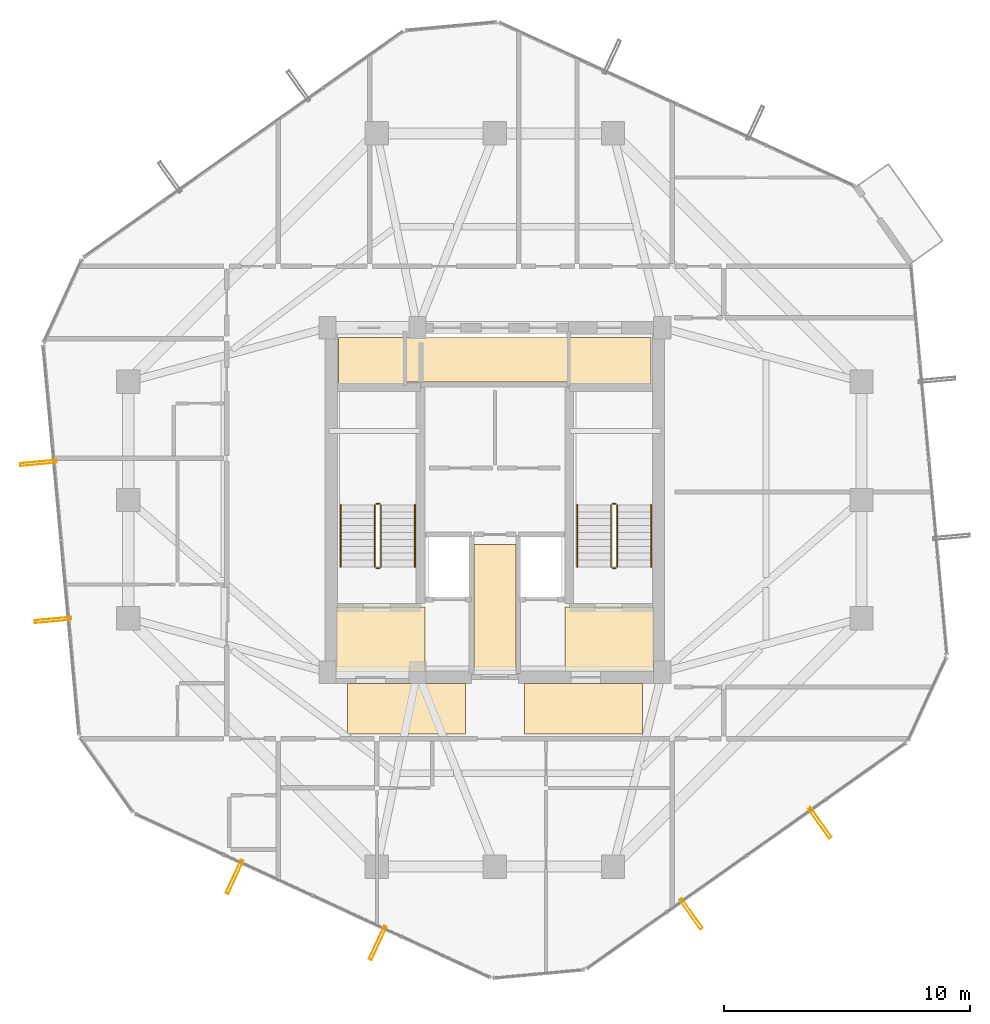
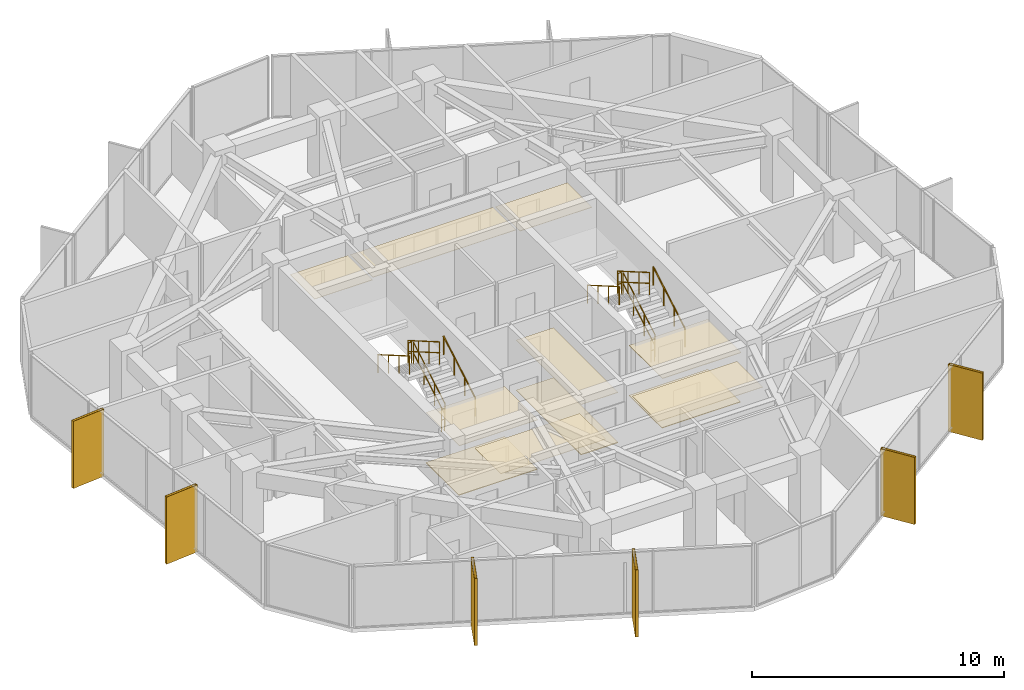
# One storey, part 31 of 32: 12 railings, 11 coverings, 6 shading devices.
"""IFC4 building model written with IfcOpenShell, lengths in metres."""

from ifc_helpers import new_model, si_unit, direction, frame, origin, origin_2d, place, context, subcontext, project, spatial, polyline, hollow_rectangle, circle, outline, extrude, material, layer, layer_set, material_profile, profile_set, type_object, element, save


model = new_model("IFC4")

# Units and contexts
model_context = context("Model", 3, precision=1e-05, world=origin(), true_north=direction((0.0, 1.0)))
body_context = subcontext(model_context, "Body", "Model", "MODEL_VIEW")
ifc_project = project(units=[si_unit("LENGTHUNIT", "METRE"), si_unit("AREAUNIT", "SQUARE_METRE"), si_unit("VOLUMEUNIT", "CUBIC_METRE"), si_unit("PLANEANGLEUNIT", "RADIAN"), si_unit("MASSUNIT", "GRAM", prefix="KILO")], contexts=[model_context])

# Site, building, storey
site_placement = place(None, origin())
site = spatial("IfcSite", under=ifc_project, at=site_placement, CompositionType="ELEMENT")
building_placement = place(site_placement, origin())
building = spatial("IfcBuilding", under=site, at=building_placement, Name="Veraguas Prism Commons", CompositionType="ELEMENT")
storey_placement = place(building_placement, frame((0.0, 0.0, 188.60009765625)))
storey = spatial("IfcBuildingStorey", under=building, at=storey_placement, Name="L53", CompositionType="ELEMENT", Elevation=188.60009765625)

# Shading devices
ifc_material_1 = material(Name="Anodised aluminium EN AW-6063 T6", Category="aluminium")
ifc_material_profile = material_profile(ifc_material_1, hollow_rectangle(XDim=0.1201171875, YDim=1.489990234375, WallThickness=0.006103515625, at=origin_2d()), Name="FIN120X1490X6")
ifc_profile_set = profile_set([ifc_material_profile], Name="Anodised aluminium EN AW-6063 T6")
shading_device_type = type_object("IfcShadingDeviceType", Name="Deep Pale-Metal Vertical Solar Fin 120x1490", PredefinedType="USERDEFINED", material=ifc_profile_set)
for number, where, z_axis, x_axis, name in (
    (1, (5.44775390625, 25.503662109375, -0.215087890625), (0.0, 0.0, 1.0), (0.092021270414, -0.995757041548, 0.0), "Vertical Pale-Metal Solar Fin L53-F3A"),
    (2, (6.037353515625, 19.121826171875, -0.215087890625), (0.0, 0.0, 1.0), (0.092021270414, -0.995757041548, 0.0), "Vertical Pale-Metal Solar Fin L53-F3B"),
    (3, (13.421630859375, 8.68505859375, -0.215087890625), (0.0, 0.0, 1.0), (0.908360799311, -0.418187348296, 0.0), "Vertical Pale-Metal Solar Fin L53-F4A"),
    (4, (19.243408203125, 6.0048828125, -0.215087890625), (0.0, 0.0, 1.0), (0.908360799311, -0.418187348296, 0.0), "Vertical Pale-Metal Solar Fin L53-F4B"),
    (5, (31.97412109375, 7.181396484375, -0.215087890625), (0.0, 0.0, 1.0), (0.816339250717, 0.577572703422, 0.0), "Vertical Pale-Metal Solar Fin L53-F5A"),
    (6, (37.205810546875, 10.883056640625, -0.215087890625), (0.0, 0.0, 1.0), (0.816339250717, 0.577572703422, 0.0), "Vertical Pale-Metal Solar Fin L53-F5B"),
):
    element("IfcShadingDevice", number, at=place(storey_placement, frame(where, z_axis=z_axis, x_axis=x_axis)), inside=storey, type_object=shading_device_type, Name=name, ObjectType="FIN", PredefinedType="USERDEFINED", context=body_context, shape_type="SweptSolid", body=[
        extrude(hollow_rectangle(XDim=0.1201171875, YDim=1.489990234375, WallThickness=0.006103515625, at=origin_2d()), origin(), (0.0, 0.0, 1.0), 3.25),
    ])

# Coverings
ifc_material_2 = material(Name="Acoustic gypsum board")
ifc_layer_1 = layer(ifc_material_2, 0.02490234375, Name="Perforated Acoustic Ceiling Tile 25")
ifc_layer_set_1 = layer_set([ifc_layer_1], Name="Acoustic gypsum board")
covering_type_1 = type_object("IfcCoveringType", Name="Perforated Acoustic Ceiling Tile 25", PredefinedType="USERDEFINED", material=ifc_layer_set_1)
covering_1_placement = place(storey_placement, frame((0.0, 0.0, 2.4248046875)))
element("IfcCovering", 7, at=covering_1_placement, inside=storey, type_object=covering_type_1, Name="East Lobby Acoustic Ceiling L53", ObjectType="ACOUSTIC CEILING", PredefinedType="USERDEFINED", context=body_context, shape_type="SweptSolid", body=[
    extrude(outline(polyline([(26.85009765625, 17.0), (30.449951171875, 17.0), (30.449951171875, 19.64990234375), (26.85009765625, 19.64990234375), (26.85009765625, 17.0)])), origin(), (0.0, 0.0, 1.0), 0.025146484375),
])
ifc_material_3 = material(Name="Terrazzo stone finish", Category="masonry")
ifc_layer_2 = layer(ifc_material_3, 0.030029296875, Name="Polished Terrazzo Floor Finish 30", Category="masonry")
ifc_layer_set_2 = layer_set([ifc_layer_2], Name="Terrazzo stone finish")
covering_type_2 = type_object("IfcCoveringType", Name="Polished Terrazzo Floor Finish 30", PredefinedType="FLOORING", material=ifc_layer_set_2)
covering_2_placement = place(storey_placement, origin())
element("IfcCovering", 8, at=covering_2_placement, inside=storey, type_object=covering_type_2, Name="Terrazzo Lobby Flooring L53", PredefinedType="FLOORING", context=body_context, shape_type="SweptSolid", body=[
    extrude(outline(polyline([(23.14990234375, 17.050048828125), (24.85009765625, 17.050048828125), (24.85009765625, 22.199951171875), (23.14990234375, 22.199951171875), (23.14990234375, 17.050048828125)])), origin(), (0.0, 0.0, 1.0), 0.02978515625),
])
covering_3_placement = place(storey_placement, origin())
element("IfcCovering", 9, at=covering_3_placement, inside=storey, type_object=covering_type_2, Name="West FF Lobby Terrazzo Flooring L53", PredefinedType="FLOORING", context=body_context, shape_type="SweptSolid", body=[
    extrude(outline(polyline([(17.550048828125, 17.050048828125), (21.14990234375, 17.050048828125), (21.14990234375, 19.64990234375), (17.550048828125, 19.64990234375), (17.550048828125, 17.050048828125)])), origin(), (0.0, 0.0, 1.0), 0.02978515625),
])
covering_4_placement = place(storey_placement, origin())
element("IfcCovering", 10, at=covering_4_placement, inside=storey, type_object=covering_type_2, Name="East FF Lobby Terrazzo Flooring L53", PredefinedType="FLOORING", context=body_context, shape_type="SweptSolid", body=[
    extrude(outline(polyline([(26.85009765625, 17.050048828125), (30.449951171875, 17.050048828125), (30.449951171875, 19.64990234375), (26.85009765625, 19.64990234375), (26.85009765625, 17.050048828125)])), origin(), (0.0, 0.0, 1.0), 0.02978515625),
])

# Railings
ifc_material_4 = material(Name="Stainless steel AISI 316", Category="steel")
railing_type_1 = type_object("IfcRailingType", Name="Stair and Ramp Stainless Handrail 900", PredefinedType="HANDRAIL", material=ifc_material_4)
railing_1_placement = place(storey_placement, frame((20.75, 21.280029296875, 0.162353515625)))
element("IfcRailing", 11, at=railing_1_placement, inside=storey, type_object=railing_type_1, Name="Stair Handrail ST-01 L53-1", PredefinedType="HANDRAIL", context=body_context, shape_type="SweptSolid", body=[
    extrude(circle(Radius=0.02392578125, at=origin_2d()), frame((0.0, 0.0, 0.8759765625), z_axis=(0.0, 0.864876961378, 0.501983905795), x_axis=(-1.0, 0.0, 0.0)), (0.0, 0.0, 1.0), 2.913818359375),
    extrude(circle(Radius=0.02099609375, at=origin_2d()), origin(), (0.0, 0.0, 1.0), 0.851806640625),
    extrude(circle(Radius=0.02099609375, at=origin_2d()), frame((0.0, 0.840087890625, 0.487548828125)), (0.0, 0.0, 1.0), 0.851806640625),
    extrude(circle(Radius=0.02099609375, at=origin_2d()), frame((0.0, 1.679931640625, 0.97509765625)), (0.0, 0.0, 1.0), 0.851806640625),
    extrude(circle(Radius=0.02099609375, at=origin_2d()), frame((0.0, 2.52001953125, 1.462646484375)), (0.0, 0.0, 1.0), 0.851806640625),
])
railing_2_placement = place(storey_placement, frame((17.739990234375, 23.800048828125, 1.787353515625)))
element("IfcRailing", 12, at=railing_2_placement, inside=storey, type_object=railing_type_1, Name="Stair Handrail ST-01 L53-2", PredefinedType="HANDRAIL", context=body_context, shape_type="SweptSolid", body=[
    extrude(circle(Radius=0.02392578125, at=origin_2d()), frame((0.0, 0.0, 0.8759765625), z_axis=(0.0, -0.864876961378, 0.501983905795), x_axis=(1.0, 0.0, 0.0)), (0.0, 0.0, 1.0), 2.913818359375),
    extrude(circle(Radius=0.02099609375, at=origin_2d()), origin(), (0.0, 0.0, 1.0), 0.851806640625),
    extrude(circle(Radius=0.02099609375, at=origin_2d()), frame((0.0, -0.840087890625, 0.487548828125)), (0.0, 0.0, 1.0), 0.851806640625),
    extrude(circle(Radius=0.02099609375, at=origin_2d()), frame((0.0, -1.679931640625, 0.97509765625)), (0.0, 0.0, 1.0), 0.851806640625),
    extrude(circle(Radius=0.02099609375, at=origin_2d()), frame((0.0, -2.52001953125, 1.462646484375)), (0.0, 0.0, 1.0), 0.851806640625),
])
railing_3_placement = place(storey_placement, frame((30.35009765625, 21.280029296875, 0.162353515625)))
element("IfcRailing", 13, at=railing_3_placement, inside=storey, type_object=railing_type_1, Name="Stair Handrail ST-02 L53-1", PredefinedType="HANDRAIL", context=body_context, shape_type="SweptSolid", body=[
    extrude(circle(Radius=0.02392578125, at=origin_2d()), frame((0.0, 0.0, 0.8759765625), z_axis=(0.0, 0.864876961378, 0.501983905795), x_axis=(-1.0, 0.0, 0.0)), (0.0, 0.0, 1.0), 2.913818359375),
    extrude(circle(Radius=0.02099609375, at=origin_2d()), origin(), (0.0, 0.0, 1.0), 0.851806640625),
    extrude(circle(Radius=0.02099609375, at=origin_2d()), frame((0.0, 0.840087890625, 0.487548828125)), (0.0, 0.0, 1.0), 0.851806640625),
    extrude(circle(Radius=0.02099609375, at=origin_2d()), frame((0.0, 1.679931640625, 0.97509765625)), (0.0, 0.0, 1.0), 0.851806640625),
    extrude(circle(Radius=0.02099609375, at=origin_2d()), frame((0.0, 2.52001953125, 1.462646484375)), (0.0, 0.0, 1.0), 0.851806640625),
])
railing_4_placement = place(storey_placement, frame((27.340087890625, 23.800048828125, 1.787353515625)))
element("IfcRailing", 14, at=railing_4_placement, inside=storey, type_object=railing_type_1, Name="Stair Handrail ST-02 L53-2", PredefinedType="HANDRAIL", context=body_context, shape_type="SweptSolid", body=[
    extrude(circle(Radius=0.02392578125, at=origin_2d()), frame((0.0, 0.0, 0.8759765625), z_axis=(0.0, -0.864876961378, 0.501983905795), x_axis=(1.0, 0.0, 0.0)), (0.0, 0.0, 1.0), 2.913818359375),
    extrude(circle(Radius=0.02099609375, at=origin_2d()), origin(), (0.0, 0.0, 1.0), 0.851806640625),
    extrude(circle(Radius=0.02099609375, at=origin_2d()), frame((0.0, -0.840087890625, 0.487548828125)), (0.0, 0.0, 1.0), 0.851806640625),
    extrude(circle(Radius=0.02099609375, at=origin_2d()), frame((0.0, -1.679931640625, 0.97509765625)), (0.0, 0.0, 1.0), 0.851806640625),
    extrude(circle(Radius=0.02099609375, at=origin_2d()), frame((0.0, -2.52001953125, 1.462646484375)), (0.0, 0.0, 1.0), 0.851806640625),
])
railing_type_2 = type_object("IfcRailingType", Name="Stairwell Safety Guardrail 1100", PredefinedType="GUARDRAIL", material=ifc_material_4)
railing_5_placement = place(storey_placement, frame((19.3701171875, 21.280029296875, 0.162353515625)))
element("IfcRailing", 15, at=railing_5_placement, inside=storey, type_object=railing_type_2, Name="Stair Guard ST-01 L53-1", PredefinedType="GUARDRAIL", context=body_context, shape_type="SweptSolid", body=[
    extrude(circle(Radius=0.02392578125, at=origin_2d()), frame((0.0, 0.0, 1.076171875), z_axis=(0.0, 0.864876961378, 0.501983905795), x_axis=(-1.0, 0.0, 0.0)), (0.0, 0.0, 1.0), 2.913818359375),
    extrude(circle(Radius=0.02392578125, at=origin_2d()), frame((0.0, 0.0, 0.550048828125), z_axis=(0.0, 0.864876961378, 0.501983905795), x_axis=(-1.0, 0.0, 0.0)), (0.0, 0.0, 1.0), 2.913818359375),
    extrude(circle(Radius=0.02099609375, at=origin_2d()), origin(), (0.0, 0.0, 1.0), 1.052001953125),
    extrude(circle(Radius=0.02099609375, at=origin_2d()), frame((0.0, 0.840087890625, 0.487548828125)), (0.0, 0.0, 1.0), 1.052001953125),
    extrude(circle(Radius=0.02099609375, at=origin_2d()), frame((0.0, 1.679931640625, 0.97509765625)), (0.0, 0.0, 1.0), 1.052001953125),
    extrude(circle(Radius=0.02099609375, at=origin_2d()), frame((0.0, 2.52001953125, 1.462646484375)), (0.0, 0.0, 1.0), 1.052001953125),
])
railing_6_placement = place(storey_placement, frame((19.320068359375, 23.85009765625, 1.625)))
element("IfcRailing", 16, at=railing_6_placement, inside=storey, type_object=railing_type_2, Name="Stair Guard ST-01 L53-2", PredefinedType="GUARDRAIL", context=body_context, shape_type="SweptSolid", body=[
    extrude(circle(Radius=0.02392578125, at=origin_2d()), frame((0.0, 0.0, 1.076171875), z_axis=(-1.0, 0.0, 0.0), x_axis=(0.0, -1.0, 0.0)), (0.0, 0.0, 1.0), 0.150146484375),
    extrude(circle(Radius=0.02392578125, at=origin_2d()), frame((0.0, 0.0, 0.550048828125), z_axis=(-1.0, 0.0, 0.0), x_axis=(0.0, -1.0, 0.0)), (0.0, 0.0, 1.0), 0.150146484375),
    extrude(circle(Radius=0.02099609375, at=origin_2d()), origin(), (0.0, 0.0, 1.0), 1.052001953125),
    extrude(circle(Radius=0.02099609375, at=origin_2d()), frame((-0.150146484375, 0.0, 0.0)), (0.0, 0.0, 1.0), 1.052001953125),
])
railing_7_placement = place(storey_placement, frame((19.1201171875, 23.800048828125, 1.787353515625)))
element("IfcRailing", 17, at=railing_7_placement, inside=storey, type_object=railing_type_2, Name="Stair Guard ST-01 L53-3", PredefinedType="GUARDRAIL", context=body_context, shape_type="SweptSolid", body=[
    extrude(circle(Radius=0.02392578125, at=origin_2d()), frame((0.0, 0.0, 1.076171875), z_axis=(0.0, -0.864876961378, 0.501983905795), x_axis=(1.0, 0.0, 0.0)), (0.0, 0.0, 1.0), 2.913818359375),
    extrude(circle(Radius=0.02392578125, at=origin_2d()), frame((0.0, 0.0, 0.550048828125), z_axis=(0.0, -0.864876961378, 0.501983905795), x_axis=(1.0, 0.0, 0.0)), (0.0, 0.0, 1.0), 2.913818359375),
    extrude(circle(Radius=0.02099609375, at=origin_2d()), origin(), (0.0, 0.0, 1.0), 1.052001953125),
    extrude(circle(Radius=0.02099609375, at=origin_2d()), frame((0.0, -0.840087890625, 0.487548828125)), (0.0, 0.0, 1.0), 1.052001953125),
    extrude(circle(Radius=0.02099609375, at=origin_2d()), frame((0.0, -1.679931640625, 0.97509765625)), (0.0, 0.0, 1.0), 1.052001953125),
    extrude(circle(Radius=0.02099609375, at=origin_2d()), frame((0.0, -2.52001953125, 1.462646484375)), (0.0, 0.0, 1.0), 1.052001953125),
])
railing_8_placement = place(storey_placement, frame((19.320068359375, 21.22998046875, 0.0)))
element("IfcRailing", 18, at=railing_8_placement, inside=storey, type_object=railing_type_2, Name="Stair Guard ST-01 L53-4", PredefinedType="GUARDRAIL", context=body_context, shape_type="SweptSolid", body=[
    extrude(circle(Radius=0.02392578125, at=origin_2d()), frame((0.0, 0.0, 1.076171875), z_axis=(-1.0, 0.0, 0.0), x_axis=(0.0, -1.0, 0.0)), (0.0, 0.0, 1.0), 0.150146484375),
    extrude(circle(Radius=0.02392578125, at=origin_2d()), frame((0.0, 0.0, 0.550048828125), z_axis=(-1.0, 0.0, 0.0), x_axis=(0.0, -1.0, 0.0)), (0.0, 0.0, 1.0), 0.150146484375),
    extrude(circle(Radius=0.02099609375, at=origin_2d()), origin(), (0.0, 0.0, 1.0), 1.052001953125),
    extrude(circle(Radius=0.02099609375, at=origin_2d()), frame((-0.150146484375, 0.0, 0.0)), (0.0, 0.0, 1.0), 1.052001953125),
])
railing_9_placement = place(storey_placement, frame((28.969970703125, 21.280029296875, 0.162353515625)))
element("IfcRailing", 19, at=railing_9_placement, inside=storey, type_object=railing_type_2, Name="Stair Guard ST-02 L53-1", PredefinedType="GUARDRAIL", context=body_context, shape_type="SweptSolid", body=[
    extrude(circle(Radius=0.02392578125, at=origin_2d()), frame((0.0, 0.0, 1.076171875), z_axis=(0.0, 0.864876961378, 0.501983905795), x_axis=(-1.0, 0.0, 0.0)), (0.0, 0.0, 1.0), 2.913818359375),
    extrude(circle(Radius=0.02392578125, at=origin_2d()), frame((0.0, 0.0, 0.550048828125), z_axis=(0.0, 0.864876961378, 0.501983905795), x_axis=(-1.0, 0.0, 0.0)), (0.0, 0.0, 1.0), 2.913818359375),
    extrude(circle(Radius=0.02099609375, at=origin_2d()), origin(), (0.0, 0.0, 1.0), 1.052001953125),
    extrude(circle(Radius=0.02099609375, at=origin_2d()), frame((0.0, 0.840087890625, 0.487548828125)), (0.0, 0.0, 1.0), 1.052001953125),
    extrude(circle(Radius=0.02099609375, at=origin_2d()), frame((0.0, 1.679931640625, 0.97509765625)), (0.0, 0.0, 1.0), 1.052001953125),
    extrude(circle(Radius=0.02099609375, at=origin_2d()), frame((0.0, 2.52001953125, 1.462646484375)), (0.0, 0.0, 1.0), 1.052001953125),
])
railing_10_placement = place(storey_placement, frame((28.919921875, 23.85009765625, 1.625)))
element("IfcRailing", 20, at=railing_10_placement, inside=storey, type_object=railing_type_2, Name="Stair Guard ST-02 L53-2", PredefinedType="GUARDRAIL", context=body_context, shape_type="SweptSolid", body=[
    extrude(circle(Radius=0.02392578125, at=origin_2d()), frame((0.0, 0.0, 1.076171875), z_axis=(-1.0, 0.0, 0.0), x_axis=(0.0, -1.0, 0.0)), (0.0, 0.0, 1.0), 0.14990234375),
    extrude(circle(Radius=0.02392578125, at=origin_2d()), frame((0.0, 0.0, 0.550048828125), z_axis=(-1.0, 0.0, 0.0), x_axis=(0.0, -1.0, 0.0)), (0.0, 0.0, 1.0), 0.14990234375),
    extrude(circle(Radius=0.02099609375, at=origin_2d()), origin(), (0.0, 0.0, 1.0), 1.052001953125),
    extrude(circle(Radius=0.02099609375, at=origin_2d()), frame((-0.14990234375, 0.0, 0.0)), (0.0, 0.0, 1.0), 1.052001953125),
])
railing_11_placement = place(storey_placement, frame((28.719970703125, 23.800048828125, 1.787353515625)))
element("IfcRailing", 21, at=railing_11_placement, inside=storey, type_object=railing_type_2, Name="Stair Guard ST-02 L53-3", PredefinedType="GUARDRAIL", context=body_context, shape_type="SweptSolid", body=[
    extrude(circle(Radius=0.02392578125, at=origin_2d()), frame((0.0, 0.0, 1.076171875), z_axis=(0.0, -0.864876961378, 0.501983905795), x_axis=(1.0, 0.0, 0.0)), (0.0, 0.0, 1.0), 2.913818359375),
    extrude(circle(Radius=0.02392578125, at=origin_2d()), frame((0.0, 0.0, 0.550048828125), z_axis=(0.0, -0.864876961378, 0.501983905795), x_axis=(1.0, 0.0, 0.0)), (0.0, 0.0, 1.0), 2.913818359375),
    extrude(circle(Radius=0.02099609375, at=origin_2d()), origin(), (0.0, 0.0, 1.0), 1.052001953125),
    extrude(circle(Radius=0.02099609375, at=origin_2d()), frame((0.0, -0.840087890625, 0.487548828125)), (0.0, 0.0, 1.0), 1.052001953125),
    extrude(circle(Radius=0.02099609375, at=origin_2d()), frame((0.0, -1.679931640625, 0.97509765625)), (0.0, 0.0, 1.0), 1.052001953125),
    extrude(circle(Radius=0.02099609375, at=origin_2d()), frame((0.0, -2.52001953125, 1.462646484375)), (0.0, 0.0, 1.0), 1.052001953125),
])
railing_12_placement = place(storey_placement, frame((28.919921875, 21.22998046875, 0.0)))
element("IfcRailing", 22, at=railing_12_placement, inside=storey, type_object=railing_type_2, Name="Stair Guard ST-02 L53-4", PredefinedType="GUARDRAIL", context=body_context, shape_type="SweptSolid", body=[
    extrude(circle(Radius=0.02392578125, at=origin_2d()), frame((0.0, 0.0, 1.076171875), z_axis=(-1.0, 0.0, 0.0), x_axis=(0.0, -1.0, 0.0)), (0.0, 0.0, 1.0), 0.14990234375),
    extrude(circle(Radius=0.02392578125, at=origin_2d()), frame((0.0, 0.0, 0.550048828125), z_axis=(-1.0, 0.0, 0.0), x_axis=(0.0, -1.0, 0.0)), (0.0, 0.0, 1.0), 0.14990234375),
    extrude(circle(Radius=0.02099609375, at=origin_2d()), origin(), (0.0, 0.0, 1.0), 1.052001953125),
    extrude(circle(Radius=0.02099609375, at=origin_2d()), frame((-0.14990234375, 0.0, 0.0)), (0.0, 0.0, 1.0), 1.052001953125),
])

# Coverings
ifc_layer_3 = layer(ifc_material_2, 0.02001953125, Name="Suspended Gypsum Ceiling 20")
ifc_layer_set_3 = layer_set([ifc_layer_3], Name="Acoustic gypsum board")
covering_type_3 = type_object("IfcCoveringType", Name="Suspended Gypsum Ceiling 20", PredefinedType="CEILING", material=ifc_layer_set_3)
covering_5_placement = place(storey_placement, frame((0.0, 0.0, 2.429931640625)))
element("IfcCovering", 23, at=covering_5_placement, inside=storey, type_object=covering_type_3, Name="West Lobby Suspended Gypsum Ceiling L53", PredefinedType="CEILING", context=body_context, shape_type="SweptSolid", body=[
    extrude(outline(polyline([(17.550048828125, 17.0), (21.14990234375, 17.0), (21.14990234375, 19.64990234375), (17.550048828125, 19.64990234375), (17.550048828125, 17.0)])), origin(), (0.0, 0.0, 1.0), 0.02001953125),
])
covering_6_placement = place(storey_placement, frame((0.0, 0.0, 2.429931640625)))
element("IfcCovering", 24, at=covering_6_placement, inside=storey, type_object=covering_type_3, Name="Core Lobby Acoustic Ceiling L53-1", PredefinedType="CEILING", context=body_context, shape_type="SweptSolid", body=[
    extrude(outline(polyline([(18.0, 14.5), (22.800048828125, 14.5), (22.800048828125, 16.550048828125), (18.0, 16.550048828125), (18.0, 14.5)])), origin(), (0.0, 0.0, 1.0), 0.02001953125),
])
covering_7_placement = place(storey_placement, frame((0.0, 0.0, 2.429931640625)))
element("IfcCovering", 25, at=covering_7_placement, inside=storey, type_object=covering_type_3, Name="Core Lobby Acoustic Ceiling L53-2", PredefinedType="CEILING", context=body_context, shape_type="SweptSolid", body=[
    extrude(outline(polyline([(25.199951171875, 14.5), (30.0, 14.5), (30.0, 16.550048828125), (25.199951171875, 16.550048828125), (25.199951171875, 14.5)])), origin(), (0.0, 0.0, 1.0), 0.02001953125),
])
covering_8_placement = place(storey_placement, frame((0.0, 0.0, 2.429931640625)))
element("IfcCovering", 26, at=covering_8_placement, inside=storey, type_object=covering_type_3, Name="Core Lobby Acoustic Ceiling L53-3", PredefinedType="CEILING", context=body_context, shape_type="SweptSolid", body=[
    extrude(outline(polyline([(23.14990234375, 17.050048828125), (24.85009765625, 17.050048828125), (24.85009765625, 22.199951171875), (23.14990234375, 22.199951171875), (23.14990234375, 17.050048828125)])), origin(), (0.0, 0.0, 1.0), 0.02001953125),
])
covering_9_placement = place(storey_placement, frame((0.0, 0.0, 2.429931640625)))
element("IfcCovering", 27, at=covering_9_placement, inside=storey, type_object=covering_type_3, Name="Core Lobby Acoustic Ceiling L53-4", PredefinedType="CEILING", context=body_context, shape_type="SweptSolid", body=[
    extrude(outline(polyline([(17.64990234375, 28.64990234375), (20.300048828125, 28.64990234375), (20.300048828125, 30.60009765625), (17.64990234375, 30.60009765625), (17.64990234375, 28.64990234375)])), origin(), (0.0, 0.0, 1.0), 0.02001953125),
])
covering_10_placement = place(storey_placement, frame((0.0, 0.0, 2.429931640625)))
element("IfcCovering", 28, at=covering_10_placement, inside=storey, type_object=covering_type_3, Name="Core Lobby Acoustic Ceiling L53-5", PredefinedType="CEILING", context=body_context, shape_type="SweptSolid", body=[
    extrude(outline(polyline([(27.050048828125, 28.64990234375), (30.35009765625, 28.64990234375), (30.35009765625, 30.60009765625), (27.050048828125, 30.60009765625), (27.050048828125, 28.64990234375)])), origin(), (0.0, 0.0, 1.0), 0.02001953125),
])
covering_11_placement = place(storey_placement, frame((0.0, 0.0, 2.429931640625)))
element("IfcCovering", 29, at=covering_11_placement, inside=storey, type_object=covering_type_3, Name="Core Lobby Acoustic Ceiling L53-6", PredefinedType="CEILING", context=body_context, shape_type="SweptSolid", body=[
    extrude(outline(polyline([(20.39990234375, 28.800048828125), (26.949951171875, 28.800048828125), (26.949951171875, 30.60009765625), (20.39990234375, 30.60009765625), (20.39990234375, 28.800048828125)])), origin(), (0.0, 0.0, 1.0), 0.02001953125),
])

save(model, "model.ifc")
